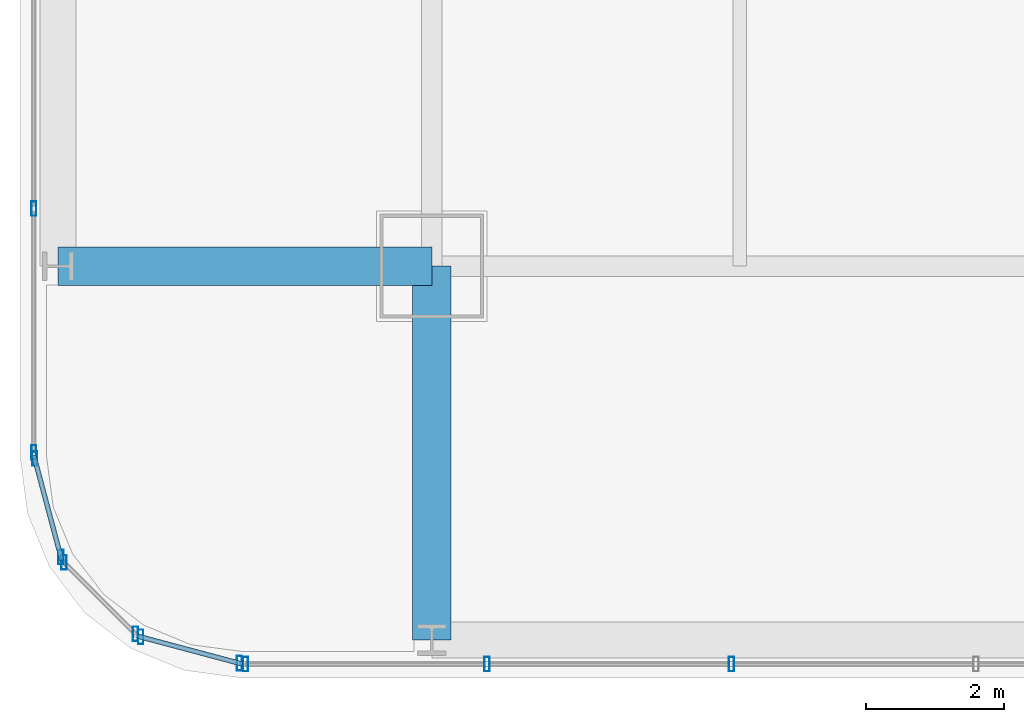
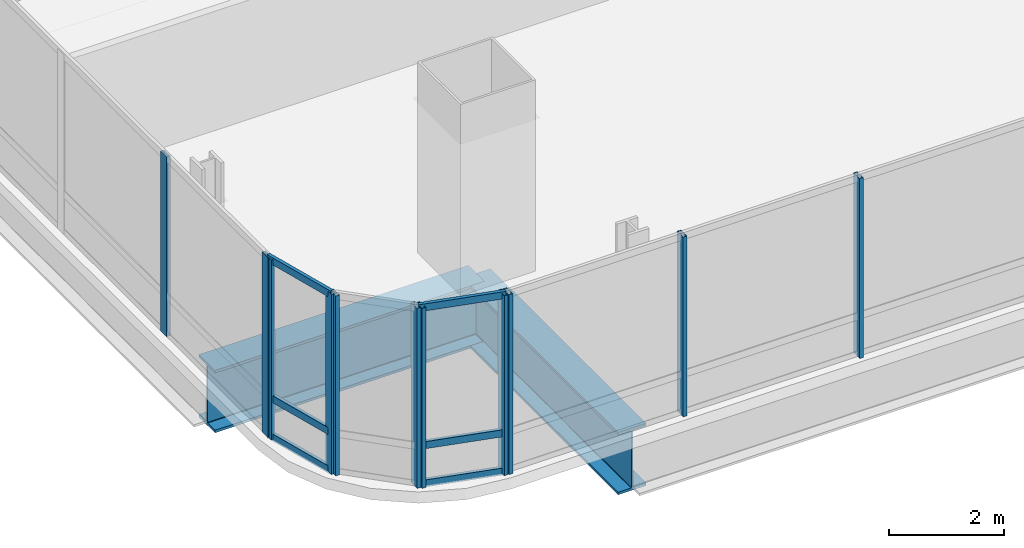
# One storey, part 2 of 36: 17 members, 2 beams, 5 elements without a shape of their own.
"""IFC4 building model written with IfcOpenShell, lengths in metres."""

import ifcopenshell
import ifcopenshell.guid

model = None  # the IFC model being written
_history = None  # IfcOwnerHistory: only IFC2X3 demands one
_inside = {}  # id of a spatial element -> (the spatial element, [elements in it])
_under = {}  # id of a project, library or spatial element -> (it, [spatial elements below it])
_declared = {}  # id of a project -> (the project, [libraries it declares])
_typed = {}  # id of a type object -> (the type object, [elements of that type])
_made_of = {}  # id of a material, layer set ... -> (it, [elements and type objects made of it])


def new_model(schema):
    """Start an empty IFC model of exactly this schema.

    Asked for "IFC4X3", IfcOpenShell would pick the latest addendum, in which some entities
    have other attributes; the version numbers below select the first issue.
    IFC2X3 requires an IfcOwnerHistory on every rooted entity: one is made here for all.
    """
    global model, _history
    if schema == "IFC4X3":
        model = ifcopenshell.file(schema_version=(4, 3, 0, 0))
    else:
        model = ifcopenshell.file(schema=schema)
    _inside.clear()
    _under.clear()
    _declared.clear()
    _typed.clear()
    _made_of.clear()
    _history = None
    if model.schema == "IFC2X3":
        org = make("IfcOrganization", Name="unknown")
        user = make(
            "IfcPersonAndOrganization",
            ThePerson=make("IfcPerson", FamilyName="unknown"),
            TheOrganization=org,
        )
        app = make(
            "IfcApplication",
            ApplicationDeveloper=org,
            Version="unknown",
            ApplicationFullName="unknown",
            ApplicationIdentifier="unknown",
        )
        _history = make(
            "IfcOwnerHistory",
            OwningUser=user,
            OwningApplication=app,
            ChangeAction="ADDED",
            CreationDate=0,
        )
    return model


def make(cls, **values):
    """One entity of the class cls with the attributes given. An attribute that is None is left unset."""
    return model.create_entity(
        cls, **{name: value for name, value in values.items() if value is not None}
    )


def rooted(cls, **values):
    """An entity with a GlobalId (a new one), such as an element, a storey or a relation."""
    return make(cls, GlobalId=ifcopenshell.guid.new(), OwnerHistory=_history, **values)


def si_unit(unit_type, name, prefix=None):
    """IfcSIUnit, for example si_unit("LENGTHUNIT", "METRE", prefix="MILLI")."""
    return make("IfcSIUnit", UnitType=unit_type, Prefix=prefix, Name=name)


def assignment(units):
    """IfcUnitAssignment: the units of a project."""
    return None if units is None else make("IfcUnitAssignment", Units=units)


def point(xyz):
    """IfcCartesianPoint."""
    return None if xyz is None else make("IfcCartesianPoint", Coordinates=xyz)


def direction(xyz):
    """IfcDirection."""
    return None if xyz is None else make("IfcDirection", DirectionRatios=xyz)


def frame(location, z_axis=None, x_axis=None):
    """IfcAxis2Placement3D, a coordinate frame: its origin and axes. An axis left out is left unset."""
    return make(
        "IfcAxis2Placement3D",
        Location=point(location),
        Axis=direction(z_axis),
        RefDirection=direction(x_axis),
    )


def frame_2d(location, x_axis=None):
    """IfcAxis2Placement2D, a coordinate frame in the plane: its origin and x axis."""
    return make(
        "IfcAxis2Placement2D", Location=point(location), RefDirection=direction(x_axis)
    )


def origin():
    """The frame at (0, 0, 0) with its axes left unset."""
    return frame((0.0, 0.0, 0.0))


def origin_2d():
    """The frame at (0, 0) in the plane with its x axis left unset."""
    return frame_2d((0.0, 0.0))


def place(relative_to, where):
    """IfcLocalPlacement: puts the frame where relative to a parent placement (None: the world)."""
    return make(
        "IfcLocalPlacement", PlacementRelTo=relative_to, RelativePlacement=where
    )


def context(
    kind, dimensions, precision=None, world=None, true_north=None, identifier=None
):
    """IfcGeometricRepresentationContext, for example the 3D "Model" context."""
    return make(
        "IfcGeometricRepresentationContext",
        ContextIdentifier=identifier,
        ContextType=kind,
        CoordinateSpaceDimension=dimensions,
        Precision=precision,
        WorldCoordinateSystem=world,
        TrueNorth=true_north,
    )


def subcontext(parent, identifier, kind, view, scale=None):
    """IfcGeometricRepresentationSubContext, for example "Body" below "Model"."""
    return make(
        "IfcGeometricRepresentationSubContext",
        ContextIdentifier=identifier,
        ContextType=kind,
        ParentContext=parent,
        TargetScale=scale,
        TargetView=view,
    )


def project(units=None, contexts=None):
    """IfcProject with its units and contexts."""
    return rooted(
        "IfcProject",
        Name="project",
        RepresentationContexts=contexts,
        UnitsInContext=assignment(units),
    )


def spatial(cls, under=None, at=None, **own):
    """A site, building, storey or space (cls), placed at a placement, below another one or the project."""
    s = rooted(cls, ObjectPlacement=at, **own)
    if under is not None:
        _under.setdefault(under.id(), (under, []))[1].append(s)
    return s


def profile(cls, at=None, kind="AREA", **sizes):
    """A parametric profile (cls). Its sizes go by their IFC names, for example OverallWidth=200.0."""
    return make(cls, ProfileType=kind, Position=at, **sizes)


def hollow_rectangle(**sizes):
    """IfcRectangleHollowProfileDef."""
    return profile("IfcRectangleHollowProfileDef", **sizes)


def i_section(**sizes):
    """IfcIShapeProfileDef."""
    return profile("IfcIShapeProfileDef", **sizes)


def extrude(swept, where, along, depth):
    """IfcExtrudedAreaSolid: the profile swept, set in the frame where, extruded along a direction by depth."""
    return make(
        "IfcExtrudedAreaSolid",
        SweptArea=swept,
        Position=where,
        ExtrudedDirection=direction(along),
        Depth=depth,
    )


def shape(context_of_items, identifier, shape_type, items):
    """IfcShapeRepresentation: the items that make up one representation, for example the "Body"."""
    return make(
        "IfcShapeRepresentation",
        ContextOfItems=context_of_items,
        RepresentationIdentifier=identifier,
        RepresentationType=shape_type,
        Items=items,
    )


def material(Name=None, Category=None):
    """IfcMaterial."""
    return make("IfcMaterial", Name=Name, Category=Category)


def material_profile(
    of_material, cross_section, Name=None, Category=None, Priority=None
):
    """IfcMaterialProfile: a cross section and its material."""
    return make(
        "IfcMaterialProfile",
        Name=Name,
        Material=of_material,
        Profile=cross_section,
        Priority=Priority,
        Category=Category,
    )


def profile_set(profiles, Name=None, composite=None):
    """IfcMaterialProfileSet."""
    return make(
        "IfcMaterialProfileSet",
        Name=Name,
        MaterialProfiles=profiles,
        CompositeProfile=composite,
    )


def made_of(thing, what):
    """Note that an element or type object is made of a material, layer set ...; save() writes the relation."""
    if what is not None:
        _made_of.setdefault(what.id(), (what, []))[1].append(thing)
    return thing


def type_object(cls, material=None, **own):
    """A type object (cls), such as IfcWallType, which elements share."""
    return made_of(rooted(cls, **own), material)


def element(
    cls,
    number,
    at=None,
    inside=None,
    cuts=None,
    type_object=None,
    material=None,
    context=None,
    identifier="Body",
    shape_type=None,
    held_by="IfcProductDefinitionShape",
    body=None,
    shapes=None,
    **own,
):
    """One element of the class cls, such as IfcWall. Its Tag is "e" and its number.

    at: its placement. inside: the storey or other place that contains it. cuts: it is an
    opening in that element (IfcRelVoidsElement). A single representation is given by context,
    identifier, shape_type and body (its items); several are given by shapes. held_by: the class
    of the entity that holds the representations. save() writes the other relations.
    """
    e = rooted(cls, Tag="e%d" % number, ObjectPlacement=at, **own)
    if body is not None:
        shapes = [shape(context, identifier, shape_type, body)]
    if shapes is not None:
        e.Representation = make(held_by, Representations=shapes)
    if inside is not None:
        _inside.setdefault(inside.id(), (inside, []))[1].append(e)
    if cuts is not None:
        rooted(
            "IfcRelVoidsElement", RelatingBuildingElement=cuts, RelatedOpeningElement=e
        )
    if type_object is not None:
        _typed.setdefault(type_object.id(), (type_object, []))[1].append(e)
    return made_of(e, material)


def aggregate(whole, parts):
    """IfcRelAggregates: a whole, such as a stair, and the parts it consists of."""
    return rooted("IfcRelAggregates", RelatingObject=whole, RelatedObjects=parts)


def save(model, path):
    """Write the relations noted so far, then the file.

    IfcRelAggregates (storeys below a building ...), IfcRelContainedInSpatialStructure (elements
    in a storey), IfcRelDefinesByType, IfcRelAssociatesMaterial and IfcRelDeclares: one each for
    every whole, place, type object, material and project.
    """
    for whole, parts in _under.values():
        aggregate(whole, parts)
    for where, things in _inside.values():
        rooted(
            "IfcRelContainedInSpatialStructure",
            RelatedElements=things,
            RelatingStructure=where,
        )
    for kind, things in _typed.values():
        rooted("IfcRelDefinesByType", RelatedObjects=things, RelatingType=kind)
    for what, things in _made_of.values():
        rooted("IfcRelAssociatesMaterial", RelatedObjects=things, RelatingMaterial=what)
    for by, libraries in _declared.values():
        rooted("IfcRelDeclares", RelatingContext=by, RelatedDefinitions=libraries)
    model.write(path)


model = new_model("IFC4")

# Units and contexts
model_context = context("Model", 3, precision=1e-05, world=origin(), true_north=direction((0.0, 1.0)))
body_context = subcontext(model_context, "Body", "Model", "MODEL_VIEW")
ifc_project = project(units=[si_unit("LENGTHUNIT", "METRE"), si_unit("AREAUNIT", "SQUARE_METRE"), si_unit("VOLUMEUNIT", "CUBIC_METRE"), si_unit("PLANEANGLEUNIT", "RADIAN"), si_unit("MASSUNIT", "GRAM", prefix="KILO")], contexts=[model_context])

# Site, building, storey
site_placement = place(None, origin())
site = spatial("IfcSite", under=ifc_project, at=site_placement, CompositionType="ELEMENT")
building_placement = place(site_placement, origin())
building = spatial("IfcBuilding", under=site, at=building_placement, Name="Punatoya Terracotta Tower", CompositionType="ELEMENT")
storey_placement = place(building_placement, frame((0.0, 0.0, 48.449951171875)))
storey = spatial("IfcBuildingStorey", under=building, at=storey_placement, Name="L10", CompositionType="ELEMENT", Elevation=48.449951171875)

# Beams
ifc_material_1 = material(Name="Steel S460", Category="steel")
ifc_material_profile_1 = material_profile(ifc_material_1, i_section(OverallWidth=0.56005859375, OverallDepth=1.320068359375, WebThickness=0.035888671875, FlangeThickness=0.054931640625, FilletRadius=0.01806640625, at=origin_2d()))
ifc_profile_set_1 = profile_set([ifc_material_profile_1], Name="Steel S460")
beam_type = type_object("IfcBeamType", Name="BM-TG-BLK", PredefinedType="BEAM", material=ifc_profile_set_1)
for number, where, z_axis, x_axis, name in (
    (1, (-24.5, -17.5, -0.89990234375), (1.0, 0.0, 0.0), (0.0, 1.0, 0.0), "BM-L10-CANT-W1"),
    (2, (-19.10009765625, -22.89990234375, -0.89990234375), (0.0, 1.0, 0.0), (-1.0, 0.0, 0.0), "BM-L10-CANT-S1"),
):
    element("IfcBeam", number, at=place(storey_placement, frame(where, z_axis=z_axis, x_axis=x_axis)), inside=storey, type_object=beam_type, Name=name, PredefinedType="BEAM", context=body_context, shape_type="SweptSolid", body=[
        extrude(i_section(OverallWidth=0.56005859375, OverallDepth=1.320068359375, WebThickness=0.035888671875, FlangeThickness=0.054931640625, FilletRadius=0.01806640625, at=origin_2d()), origin(), (0.0, 0.0, 1.0), 5.39990234375),
    ])

# Curtain wall, members
ifc_material_2 = material(Name="Aluminium 6063-T6 + Double Low-E Glass", Category="aluminium")
curtain_wall_type = type_object("IfcCurtainWallType", Name="CW-M1", PredefinedType="NOTDEFINED", material=ifc_material_2)
curtain_wall_1_placement = place(storey_placement, origin())
curtain_wall_1 = element("IfcCurtainWall", 3, at=curtain_wall_1_placement, inside=storey, type_object=curtain_wall_type, Name="L10 Curtain Wall CW-L10-S01-1", PredefinedType="NOTDEFINED")
ifc_material_3 = material(Name="Aluminium 6063-T6", Category="aluminium")
ifc_material_profile_2 = material_profile(ifc_material_3, hollow_rectangle(XDim=0.074951171875, YDim=0.2099609375, WallThickness=0.00439453125, at=origin_2d()))
ifc_profile_set_2 = profile_set([ifc_material_profile_2], Name="Aluminium 6063-T6")
member_type_1 = type_object("IfcMemberType", Name="CW-MUL-M1", PredefinedType="MULLION", material=ifc_profile_set_2)
member_1_placement = place(storey_placement, frame((-21.7919921875, -23.25, 0.0), z_axis=(0.0, 0.0, 1.0), x_axis=(1.0, 0.0, 0.0)))
member_1 = element("IfcMember", 4, at=member_1_placement, type_object=member_type_1, Name="CW-L10-S01-1 Mullion 00", PredefinedType="MULLION", context=body_context, shape_type="SweptSolid", body=[
    extrude(hollow_rectangle(XDim=0.074951171875, YDim=0.2099609375, WallThickness=0.00439453125, at=origin_2d()), origin(), (0.0, 0.0, 1.0), 3.81005859375),
])
member_2_placement = place(storey_placement, frame((-18.302978515625, -23.25, 0.0), z_axis=(0.0, 0.0, 1.0), x_axis=(1.0, 0.0, 0.0)))
member_2 = element("IfcMember", 5, at=member_2_placement, type_object=member_type_1, Name="CW-L10-S01-1 Mullion 01", PredefinedType="MULLION", context=body_context, shape_type="SweptSolid", body=[
    extrude(hollow_rectangle(XDim=0.074951171875, YDim=0.2099609375, WallThickness=0.00439453125, at=origin_2d()), origin(), (0.0, 0.0, 1.0), 3.81005859375),
])
member_3_placement = place(storey_placement, frame((-14.768798828125, -23.25, 0.0), z_axis=(0.0, 0.0, 1.0), x_axis=(1.0, 0.0, 0.0)))
member_3 = element("IfcMember", 6, at=member_3_placement, type_object=member_type_1, Name="CW-L10-S01-1 Mullion 02", PredefinedType="MULLION", context=body_context, shape_type="SweptSolid", body=[
    extrude(hollow_rectangle(XDim=0.074951171875, YDim=0.2099609375, WallThickness=0.00439453125, at=origin_2d()), origin(), (0.0, 0.0, 1.0), 3.81005859375),
])
aggregate(curtain_wall_1, [member_1, member_2, member_3])

curtain_wall_2_placement = place(storey_placement, origin())
curtain_wall_2 = element("IfcCurtainWall", 7, at=curtain_wall_2_placement, inside=storey, type_object=curtain_wall_type, Name="L10 Curtain Wall CW-L10-W13-1", PredefinedType="NOTDEFINED")
member_4_placement = place(storey_placement, frame((-24.85009765625, -16.66943359375, 0.0), z_axis=(0.0, 0.0, 1.0), x_axis=(1.0, 0.0, 0.0)))
member_4 = element("IfcMember", 8, at=member_4_placement, type_object=member_type_1, Name="CW-L10-W13-1 Mullion 09", PredefinedType="MULLION", context=body_context, shape_type="SweptSolid", body=[
    extrude(hollow_rectangle(XDim=0.074951171875, YDim=0.2099609375, WallThickness=0.00439453125, at=origin_2d()), origin(), (0.0, 0.0, 1.0), 3.81005859375),
])
member_5_placement = place(storey_placement, frame((-24.85009765625, -20.19189453125, 0.0), z_axis=(0.0, 0.0, 1.0), x_axis=(1.0, 0.0, 0.0)))
member_5 = element("IfcMember", 9, at=member_5_placement, type_object=member_type_1, Name="CW-L10-W13-1 Mullion 10", PredefinedType="MULLION", context=body_context, shape_type="SweptSolid", body=[
    extrude(hollow_rectangle(XDim=0.074951171875, YDim=0.2099609375, WallThickness=0.00439453125, at=origin_2d()), origin(), (0.0, 0.0, 1.0), 3.81005859375),
])
aggregate(curtain_wall_2, [member_4, member_5])

curtain_wall_3_placement = place(storey_placement, origin())
curtain_wall_3 = element("IfcCurtainWall", 10, at=curtain_wall_3_placement, inside=storey, type_object=curtain_wall_type, Name="L10 Curtain Wall CW-L10-CRN14", PredefinedType="NOTDEFINED")
member_6_placement = place(storey_placement, frame((-24.83837890625, -20.280517578125, 0.0), z_axis=(0.0, 0.0, 1.0), x_axis=(1.0, 0.0, 0.0)))
member_6 = element("IfcMember", 11, at=member_6_placement, type_object=member_type_1, Name="CW-L10-CRN14 Mullion 00", PredefinedType="MULLION", context=body_context, shape_type="SweptSolid", body=[
    extrude(hollow_rectangle(XDim=0.074951171875, YDim=0.2099609375, WallThickness=0.00439453125, at=origin_2d()), origin(), (0.0, 0.0, 1.0), 3.81005859375),
])
member_7_placement = place(storey_placement, frame((-24.458251953125, -21.70556640625, 0.0), z_axis=(0.0, 0.0, 1.0), x_axis=(1.0, 0.0, 0.0)))
member_7 = element("IfcMember", 12, at=member_7_placement, type_object=member_type_1, Name="CW-L10-CRN14 Mullion 01", PredefinedType="MULLION", context=body_context, shape_type="SweptSolid", body=[
    extrude(hollow_rectangle(XDim=0.074951171875, YDim=0.2099609375, WallThickness=0.00439453125, at=origin_2d()), origin(), (0.0, 0.0, 1.0), 3.81005859375),
])

curtain_wall_4_placement = place(storey_placement, origin())
curtain_wall_4 = element("IfcCurtainWall", 13, at=curtain_wall_4_placement, inside=storey, type_object=curtain_wall_type, Name="L10 Curtain Wall CW-L10-CRN15", PredefinedType="NOTDEFINED")
member_8_placement = place(storey_placement, frame((-24.414794921875, -21.781005859375, 0.0), z_axis=(0.0, 0.0, 1.0), x_axis=(1.0, 0.0, 0.0)))
member_8 = element("IfcMember", 14, at=member_8_placement, type_object=member_type_1, Name="CW-L10-CRN15 Mullion 00", PredefinedType="MULLION", context=body_context, shape_type="SweptSolid", body=[
    extrude(hollow_rectangle(XDim=0.074951171875, YDim=0.2099609375, WallThickness=0.00439453125, at=origin_2d()), origin(), (0.0, 0.0, 1.0), 3.81005859375),
])
member_9_placement = place(storey_placement, frame((-23.380859375, -22.814697265625, 0.0), z_axis=(0.0, 0.0, 1.0), x_axis=(1.0, 0.0, 0.0)))
member_9 = element("IfcMember", 15, at=member_9_placement, type_object=member_type_1, Name="CW-L10-CRN15 Mullion 01", PredefinedType="MULLION", context=body_context, shape_type="SweptSolid", body=[
    extrude(hollow_rectangle(XDim=0.074951171875, YDim=0.2099609375, WallThickness=0.00439453125, at=origin_2d()), origin(), (0.0, 0.0, 1.0), 3.81005859375),
])
aggregate(curtain_wall_4, [member_8, member_9])

curtain_wall_5_placement = place(storey_placement, origin())
curtain_wall_5 = element("IfcCurtainWall", 16, at=curtain_wall_5_placement, inside=storey, type_object=curtain_wall_type, Name="L10 Curtain Wall CW-L10-CRN16", PredefinedType="NOTDEFINED")
member_10_placement = place(storey_placement, frame((-23.3056640625, -22.858154296875, 0.0), z_axis=(0.0, 0.0, 1.0), x_axis=(1.0, 0.0, 0.0)))
member_10 = element("IfcMember", 17, at=member_10_placement, type_object=member_type_1, Name="CW-L10-CRN16 Mullion 00", PredefinedType="MULLION", context=body_context, shape_type="SweptSolid", body=[
    extrude(hollow_rectangle(XDim=0.074951171875, YDim=0.2099609375, WallThickness=0.00439453125, at=origin_2d()), origin(), (0.0, 0.0, 1.0), 3.81005859375),
])
member_11_placement = place(storey_placement, frame((-21.88037109375, -23.23828125, 0.0), z_axis=(0.0, 0.0, 1.0), x_axis=(1.0, 0.0, 0.0)))
member_11 = element("IfcMember", 18, at=member_11_placement, type_object=member_type_1, Name="CW-L10-CRN16 Mullion 01", PredefinedType="MULLION", context=body_context, shape_type="SweptSolid", body=[
    extrude(hollow_rectangle(XDim=0.074951171875, YDim=0.2099609375, WallThickness=0.00439453125, at=origin_2d()), origin(), (0.0, 0.0, 1.0), 3.81005859375),
])

# Member
ifc_material_profile_3 = material_profile(ifc_material_3, hollow_rectangle(XDim=0.068115234375, YDim=0.14990234375, WallThickness=0.00390625, at=origin_2d()))
ifc_profile_set_3 = profile_set([ifc_material_profile_3], Name="Aluminium 6063-T6")
member_type_2 = type_object("IfcMemberType", Name="CW-TRN-TYP", PredefinedType="USERDEFINED", material=ifc_profile_set_3)
member_12_placement = place(storey_placement, frame((-24.85009765625, -20.23681640625, 0.0400390625), z_axis=(0.257847112249, -0.966185730957, 0.0), x_axis=(0.966185730957, 0.257847112249, 0.0)))
member_12 = element("IfcMember", 19, at=member_12_placement, type_object=member_type_2, Name="CW-L10-CRN14 Transom 1", ObjectType="TRANSOM", PredefinedType="USERDEFINED", context=body_context, shape_type="SweptSolid", body=[
    extrude(hollow_rectangle(XDim=0.068115234375, YDim=0.14990234375, WallThickness=0.00390625, at=origin_2d()), origin(), (0.0, 0.0, 1.0), 1.565185546875),
])

member_13_placement = place(storey_placement, frame((-24.85009765625, -20.23681640625, 0.85009765625), z_axis=(0.257847112249, -0.966185730957, 0.0), x_axis=(0.966185730957, 0.257847112249, 0.0)))
member_13 = element("IfcMember", 20, at=member_13_placement, type_object=member_type_2, Name="CW-L10-CRN14 Transom 2", ObjectType="TRANSOM", PredefinedType="USERDEFINED", context=body_context, shape_type="SweptSolid", body=[
    extrude(hollow_rectangle(XDim=0.068115234375, YDim=0.14990234375, WallThickness=0.00390625, at=origin_2d()), origin(), (0.0, 0.0, 1.0), 1.565185546875),
])

member_14_placement = place(storey_placement, frame((-24.85009765625, -20.23681640625, 3.77001953125), z_axis=(0.257847112249, -0.966185730957, 0.0), x_axis=(0.966185730957, 0.257847112249, 0.0)))
member_14 = element("IfcMember", 21, at=member_14_placement, type_object=member_type_2, Name="CW-L10-CRN14 Transom 3", ObjectType="TRANSOM", PredefinedType="USERDEFINED", context=body_context, shape_type="SweptSolid", body=[
    extrude(hollow_rectangle(XDim=0.068115234375, YDim=0.14990234375, WallThickness=0.00390625, at=origin_2d()), origin(), (0.0, 0.0, 1.0), 1.565185546875),
])

aggregate(curtain_wall_3, [member_6, member_7, member_12, member_13, member_14])

member_15_placement = place(storey_placement, frame((-23.34912109375, -22.8466796875, 0.0400390625), z_axis=(0.966224582397, -0.257701486942, 0.0), x_axis=(0.257701486942, 0.966224582397, 0.0)))
member_15 = element("IfcMember", 22, at=member_15_placement, type_object=member_type_2, Name="CW-L10-CRN16 Transom 1", ObjectType="TRANSOM", PredefinedType="USERDEFINED", context=body_context, shape_type="SweptSolid", body=[
    extrude(hollow_rectangle(XDim=0.068115234375, YDim=0.14990234375, WallThickness=0.00390625, at=origin_2d()), origin(), (0.0, 0.0, 1.0), 1.565185546875),
])

member_16_placement = place(storey_placement, frame((-23.34912109375, -22.8466796875, 0.85009765625), z_axis=(0.966224582397, -0.257701486942, 0.0), x_axis=(0.257701486942, 0.966224582397, 0.0)))
member_16 = element("IfcMember", 23, at=member_16_placement, type_object=member_type_2, Name="CW-L10-CRN16 Transom 2", ObjectType="TRANSOM", PredefinedType="USERDEFINED", context=body_context, shape_type="SweptSolid", body=[
    extrude(hollow_rectangle(XDim=0.068115234375, YDim=0.14990234375, WallThickness=0.00390625, at=origin_2d()), origin(), (0.0, 0.0, 1.0), 1.565185546875),
])

member_17_placement = place(storey_placement, frame((-23.34912109375, -22.8466796875, 3.77001953125), z_axis=(0.966224582397, -0.257701486942, 0.0), x_axis=(0.257701486942, 0.966224582397, 0.0)))
member_17 = element("IfcMember", 24, at=member_17_placement, type_object=member_type_2, Name="CW-L10-CRN16 Transom 3", ObjectType="TRANSOM", PredefinedType="USERDEFINED", context=body_context, shape_type="SweptSolid", body=[
    extrude(hollow_rectangle(XDim=0.068115234375, YDim=0.14990234375, WallThickness=0.00390625, at=origin_2d()), origin(), (0.0, 0.0, 1.0), 1.565185546875),
])

aggregate(curtain_wall_5, [member_10, member_11, member_15, member_16, member_17])

save(model, "model.ifc")
